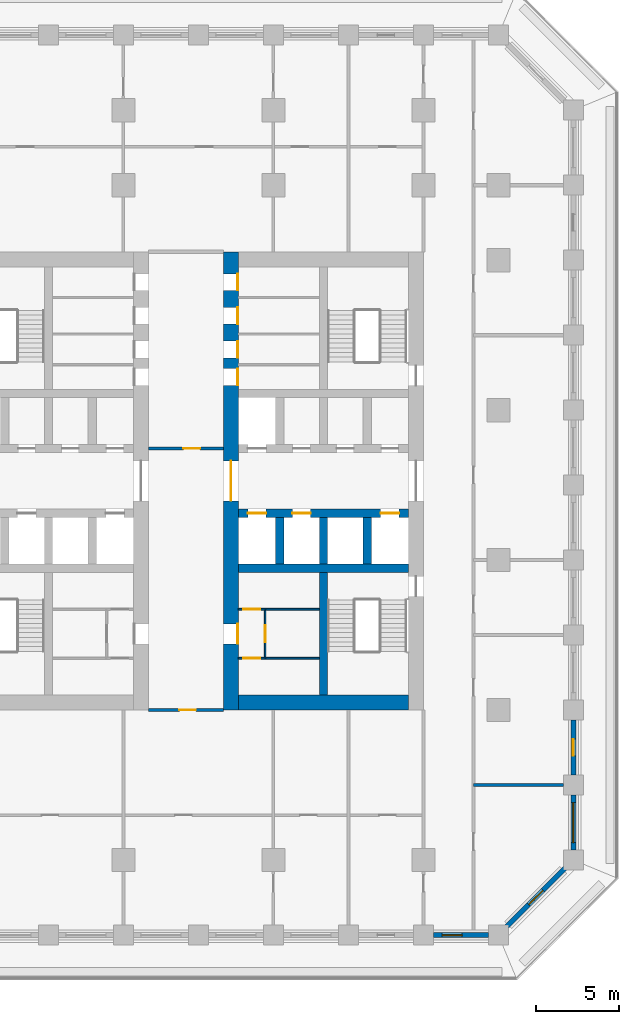
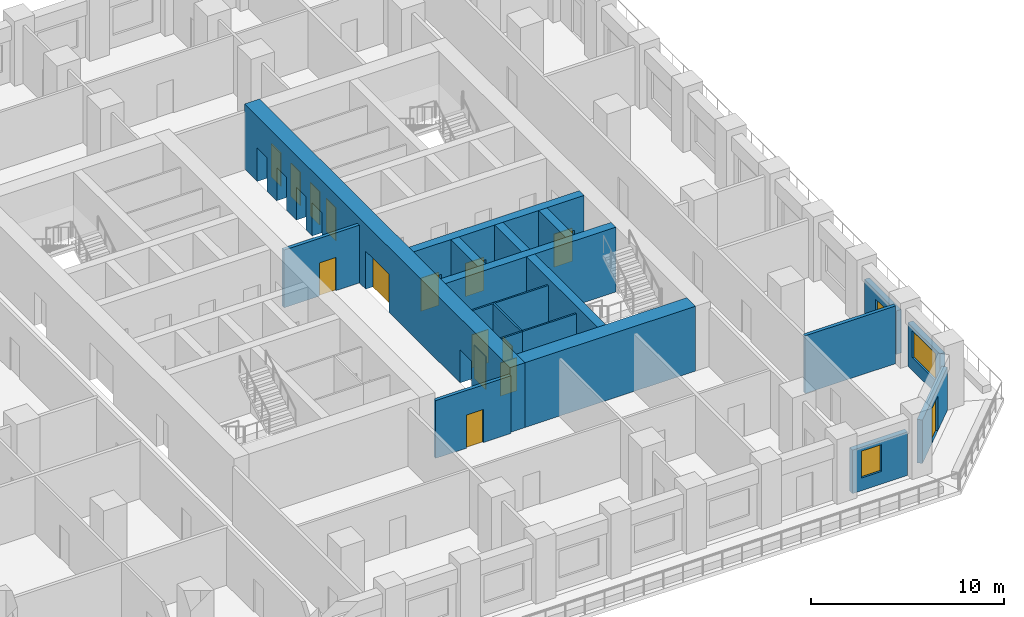
# One storey, part 5 of 16: 20 walls, 16 doors, 2 windows, 18 openings.
"""IFC4 building model written with IfcOpenShell, lengths in metres."""

from ifc_helpers import new_model, si_unit, direction, frame, frame_2d, origin, place, context, subcontext, project, spatial, rectangle, extrude, material, layer, layer_set, type_object, element, fill, save


model = new_model("IFC4")

# Units and contexts
model_context = context("Model", 3, precision=1e-05, world=origin(), true_north=direction((0.0, 1.0)))
body_context = subcontext(model_context, "Body", "Model", "MODEL_VIEW")
ifc_project = project(units=[si_unit("LENGTHUNIT", "METRE"), si_unit("AREAUNIT", "SQUARE_METRE"), si_unit("VOLUMEUNIT", "CUBIC_METRE"), si_unit("PLANEANGLEUNIT", "RADIAN"), si_unit("MASSUNIT", "GRAM", prefix="KILO")], contexts=[model_context])

# Site, building, storey
site_placement = place(None, origin())
site = spatial("IfcSite", under=ifc_project, at=site_placement, CompositionType="ELEMENT")
building_placement = place(site_placement, origin())
building = spatial("IfcBuilding", under=site, at=building_placement, Name="Corbel Stack Research Tower", CompositionType="ELEMENT")
storey_placement = place(building_placement, frame((0.0, 0.0, 120.800048828125)))
storey = spatial("IfcBuildingStorey", under=building, at=storey_placement, Name="L27", CompositionType="ELEMENT", Elevation=120.800048828125)

# Wall
ifc_material_1 = material(Name="Concrete C70/85", Category="concrete")
ifc_layer_1 = layer(ifc_material_1, 0.5)
ifc_layer_set_1 = layer_set([ifc_layer_1], Name="Concrete C70/85")
wall_type_1 = type_object("IfcWallType", Name="CW-500-70", PredefinedType="SHEAR", material=ifc_layer_set_1)
wall_1_placement = place(storey_placement, frame((6.89990234375, -0.5, 0.0), z_axis=(0.0, 0.0, 1.0), x_axis=(1.0, 0.0, 0.0)))
element("IfcWall", 1, at=wall_1_placement, inside=storey, type_object=wall_type_1, Name="East core wall, south row back L27", PredefinedType="SHEAR", context=body_context, shape_type="SweptSolid", body=[
    extrude(rectangle(XDim=10.2001953125, YDim=0.5, at=frame_2d((5.10009765625, 0.0))), origin(), (0.0, 0.0, 1.0), 4.099853515625),
])

# Wall, openings, doors
wall_2_placement = place(storey_placement, frame((6.89990234375, 2.800048828125, 0.0), z_axis=(0.0, 0.0, 1.0), x_axis=(1.0, 0.0, 0.0)))
wall_2 = element("IfcWall", 2, at=wall_2_placement, inside=storey, type_object=wall_type_1, Name="East core wall, lobby south L27", PredefinedType="SHEAR", context=body_context, shape_type="SweptSolid", body=[
    extrude(rectangle(XDim=10.2001953125, YDim=0.5, at=frame_2d((5.10009765625, 0.0))), origin(), (0.0, 0.0, 1.0), 4.099853515625),
])
opening_1_placement = place(wall_2_placement, frame((0.5625, 0.0, 0.0)))
opening_1 = element("IfcOpeningElement", 3, at=opening_1_placement, cuts=wall_2, Name="Opening LD-FS2", PredefinedType="OPENING", context=body_context, shape_type="SweptSolid", body=[
    extrude(rectangle(XDim=1.10009765625, YDim=2.10009765625, at=frame_2d((0.550048828125, 1.050048828125))), frame((0.0, 0.260009765625, 0.0), z_axis=(0.0, -1.0, 0.0), x_axis=(1.0, 0.0, 0.0)), (0.0, 0.0, 1.0), 0.52001953125),
])
opening_2_placement = place(wall_2_placement, frame((3.237548828125, 0.0, 0.0)))
opening_2 = element("IfcOpeningElement", 4, at=opening_2_placement, cuts=wall_2, Name="Opening LD-GL2", PredefinedType="OPENING", context=body_context, shape_type="SweptSolid", body=[
    extrude(rectangle(XDim=1.10009765625, YDim=2.10009765625, at=frame_2d((0.550048828125, 1.050048828125))), frame((0.0, 0.260009765625, 0.0), z_axis=(0.0, -1.0, 0.0), x_axis=(1.0, 0.0, 0.0)), (0.0, 0.0, 1.0), 0.52001953125),
])
opening_3_placement = place(wall_2_placement, frame((8.53759765625, 0.0, 0.0)))
opening_3 = element("IfcOpeningElement", 5, at=opening_3_placement, cuts=wall_2, Name="Opening LD-LR3", PredefinedType="OPENING", context=body_context, shape_type="SweptSolid", body=[
    extrude(rectangle(XDim=1.10009765625, YDim=2.10009765625, at=frame_2d((0.550048828125, 1.050048828125))), frame((0.0, 0.260009765625, 0.0), z_axis=(0.0, -1.0, 0.0), x_axis=(1.0, 0.0, 0.0)), (0.0, 0.0, 1.0), 0.52001953125),
])
ifc_material_2 = material(Name="Stainless steel landing door", Category="steel")
door_type_1 = type_object("IfcDoorType", Name="Lift landing door 1100 x 2100", OperationType="DOUBLE_DOOR_SLIDING", PredefinedType="DOOR", material=ifc_material_2)
door_1_placement = place(opening_1_placement, origin())
door_1 = element("IfcDoor", 6, at=door_1_placement, inside=storey, type_object=door_type_1, Name="Landing door FS2", OperationType="DOUBLE_DOOR_SLIDING", OverallHeight=2.10009765625, OverallWidth=1.10009765625, PredefinedType="DOOR", context=body_context, shape_type="SweptSolid", body=[
    extrude(rectangle(XDim=1.10009765625, YDim=2.10009765625, at=frame_2d((0.550048828125, 1.050048828125))), frame((0.0, 0.02490234375, 0.0), z_axis=(0.0, -1.0, 0.0), x_axis=(1.0, 0.0, 0.0)), (0.0, 0.0, 1.0), 0.050048828125),
])
fill(opening_1, door_1)
door_2_placement = place(opening_2_placement, origin())
door_2 = element("IfcDoor", 7, at=door_2_placement, inside=storey, type_object=door_type_1, Name="Landing door GL2", OperationType="DOUBLE_DOOR_SLIDING", OverallHeight=2.10009765625, OverallWidth=1.10009765625, PredefinedType="DOOR", context=body_context, shape_type="SweptSolid", body=[
    extrude(rectangle(XDim=1.10009765625, YDim=2.10009765625, at=frame_2d((0.550048828125, 1.050048828125))), frame((0.0, 0.02490234375, 0.0), z_axis=(0.0, -1.0, 0.0), x_axis=(1.0, 0.0, 0.0)), (0.0, 0.0, 1.0), 0.050048828125),
])
fill(opening_2, door_2)
door_3_placement = place(opening_3_placement, origin())
door_3 = element("IfcDoor", 8, at=door_3_placement, inside=storey, type_object=door_type_1, Name="Landing door LR3", OperationType="DOUBLE_DOOR_SLIDING", OverallHeight=2.10009765625, OverallWidth=1.10009765625, PredefinedType="DOOR", context=body_context, shape_type="SweptSolid", body=[
    extrude(rectangle(XDim=1.10009765625, YDim=2.10009765625, at=frame_2d((0.550048828125, 1.050048828125))), frame((0.0, 0.02490234375, 0.0), z_axis=(0.0, -1.0, 0.0), x_axis=(1.0, 0.0, 0.0)), (0.0, 0.0, 1.0), 0.050048828125),
])
fill(opening_3, door_3)

# Walls
for number, where, z_axis, x_axis, name in (
    (9, (9.375, -0.25, 0.0), (0.0, 0.0, 1.0), (0.0, 1.0, 0.0), "East core wall, south shaft 1 L27"),
    (10, (12.0, -0.25, 0.0), (0.0, 0.0, 1.0), (0.0, 1.0, 0.0), "East core wall, south shaft 2 L27"),
    (11, (14.625, -0.25, 0.0), (0.0, 0.0, 1.0), (0.0, 1.0, 0.0), "East core wall, south shaft 3 L27"),
):
    element("IfcWall", number, at=place(storey_placement, frame(where, z_axis=z_axis, x_axis=x_axis)), inside=storey, type_object=wall_type_1, Name=name, PredefinedType="SHEAR", context=body_context, shape_type="SweptSolid", body=[
        extrude(rectangle(XDim=2.800048828125, YDim=0.5, at=frame_2d((1.39990234375, 0.0))), origin(), (0.0, 0.0, 1.0), 4.099853515625),
    ])
wall_3_placement = place(storey_placement, frame((12.0, -8.10009765625, 0.0), z_axis=(0.0, 0.0, 1.0), x_axis=(0.0, 1.0, 0.0)))
element("IfcWall", 12, at=wall_3_placement, inside=storey, type_object=wall_type_1, Name="East core wall, south stair and WC L27", PredefinedType="SHEAR", context=body_context, shape_type="SweptSolid", body=[
    extrude(rectangle(XDim=7.35009765625, YDim=0.5, at=frame_2d((3.675048828125, 0.0))), origin(), (0.0, 0.0, 1.0), 4.099853515625),
])

# Wall, openings, doors
ifc_material_3 = material(Name="Concrete C70/85", Category="concrete")
ifc_layer_2 = layer(ifc_material_3, 0.89990234375)
ifc_layer_set_2 = layer_set([ifc_layer_2], Name="Concrete C70/85")
wall_type_2 = type_object("IfcWallType", Name="CW-900-70", PredefinedType="SHEAR", material=ifc_layer_set_2)
wall_4_placement = place(storey_placement, frame((6.449951171875, -9.0, 0.0), z_axis=(0.0, 0.0, 1.0), x_axis=(0.0, 1.0, 0.0)))
wall_4 = element("IfcWall", 13, at=wall_4_placement, inside=storey, type_object=wall_type_2, Name="East core wall, west face L27", PredefinedType="SHEAR", context=body_context, shape_type="SweptSolid", body=[
    extrude(rectangle(XDim=27.5, YDim=0.89990234375, at=frame_2d((13.75, 0.0))), origin(), (0.0, 0.0, 1.0), 4.099853515625),
])
opening_4_placement = place(wall_4_placement, frame((12.550048828125, 0.0, 0.0)))
opening_4 = element("IfcOpeningElement", 14, at=opening_4_placement, cuts=wall_4, Name="Opening CD-E-W", PredefinedType="OPENING", context=body_context, shape_type="SweptSolid", body=[
    extrude(rectangle(XDim=2.39990234375, YDim=2.39990234375, at=frame_2d((1.199951171875, 1.199951171875))), frame((0.0, 0.4599609375, 0.0), z_axis=(0.0, -1.0, 0.0), x_axis=(1.0, 0.0, 0.0)), (0.0, 0.0, 1.0), 0.919921875),
])
opening_5_placement = place(wall_4_placement, frame((3.97509765625, 0.0, 0.0)))
opening_5 = element("IfcOpeningElement", 15, at=opening_5_placement, cuts=wall_4, Name="Opening CR-E36-W1-1200", PredefinedType="OPENING", context=body_context, shape_type="SweptSolid", body=[
    extrude(rectangle(XDim=1.199951171875, YDim=2.10009765625, at=frame_2d((0.60009765625, 1.050048828125))), frame((0.0, 0.4599609375, 0.0), z_axis=(0.0, -1.0, 0.0), x_axis=(1.0, 0.0, 0.0)), (0.0, 0.0, 1.0), 0.919921875),
])
opening_6_placement = place(wall_4_placement, frame((19.485107421875, 0.0, 0.0)))
opening_6 = element("IfcOpeningElement", 16, at=opening_6_placement, cuts=wall_4, Name="Opening CR-E36-R1-1000", PredefinedType="OPENING", context=body_context, shape_type="SweptSolid", body=[
    extrude(rectangle(XDim=1.0, YDim=2.10009765625, at=frame_2d((0.5, 1.050048828125))), frame((0.0, 0.4599609375, 0.0), z_axis=(0.0, -1.0, 0.0), x_axis=(1.0, 0.0, 0.0)), (0.0, 0.0, 1.0), 0.919921875),
])
opening_7_placement = place(wall_4_placement, frame((21.138916015625, 0.0, 0.0)))
opening_7 = element("IfcOpeningElement", 17, at=opening_7_placement, cuts=wall_4, Name="Opening CR-E36-R2-1000", PredefinedType="OPENING", context=body_context, shape_type="SweptSolid", body=[
    extrude(rectangle(XDim=1.0, YDim=2.10009765625, at=frame_2d((0.5, 1.050048828125))), frame((0.0, 0.4599609375, 0.0), z_axis=(0.0, -1.0, 0.0), x_axis=(1.0, 0.0, 0.0)), (0.0, 0.0, 1.0), 0.919921875),
])
opening_8_placement = place(wall_4_placement, frame((23.159912109375, 0.0, 0.0)))
opening_8 = element("IfcOpeningElement", 18, at=opening_8_placement, cuts=wall_4, Name="Opening CR-E36-R3-1000", PredefinedType="OPENING", context=body_context, shape_type="SweptSolid", body=[
    extrude(rectangle(XDim=1.0, YDim=2.10009765625, at=frame_2d((0.5, 1.050048828125))), frame((0.0, 0.4599609375, 0.0), z_axis=(0.0, -1.0, 0.0), x_axis=(1.0, 0.0, 0.0)), (0.0, 0.0, 1.0), 0.919921875),
])
opening_9_placement = place(wall_4_placement, frame((25.18115234375, 0.0, 0.0)))
opening_9 = element("IfcOpeningElement", 19, at=opening_9_placement, cuts=wall_4, Name="Opening CR-E36-R4-1000", PredefinedType="OPENING", context=body_context, shape_type="SweptSolid", body=[
    extrude(rectangle(XDim=1.0, YDim=2.10009765625, at=frame_2d((0.5, 1.050048828125))), frame((0.0, 0.4599609375, 0.0), z_axis=(0.0, -1.0, 0.0), x_axis=(1.0, 0.0, 0.0)), (0.0, 0.0, 1.0), 0.919921875),
])
ifc_material_4 = material(Name="Painted steel fire door", Category="steel")
door_type_2 = type_object("IfcDoorType", Name="Lobby door pair 2400 x 2400 FD30S", OperationType="DOUBLE_DOOR_DOUBLE_SWING", PredefinedType="DOOR", material=ifc_material_4)
door_4_placement = place(opening_4_placement, origin())
door_4 = element("IfcDoor", 20, at=door_4_placement, inside=storey, type_object=door_type_2, Name="Lift lobby door E core W", OperationType="DOUBLE_DOOR_DOUBLE_SWING", OverallHeight=2.39990234375, OverallWidth=2.39990234375, PredefinedType="DOOR", context=body_context, shape_type="SweptSolid", body=[
    extrude(rectangle(XDim=2.39990234375, YDim=2.39990234375, at=frame_2d((1.199951171875, 1.199951171875))), frame((0.0, 0.02490234375, 0.0), z_axis=(0.0, -1.0, 0.0), x_axis=(1.0, 0.0, 0.0)), (0.0, 0.0, 1.0), 0.050048828125),
])
fill(opening_4, door_4)
ifc_material_5 = material(Name="Painted steel door", Category="steel")
door_type_3 = type_object("IfcDoorType", Name="Riser door 1000 x 2100 FD60 left hand", OperationType="SINGLE_SWING_LEFT", PredefinedType="DOOR", material=ifc_material_5)
door_5_placement = place(opening_7_placement, origin())
door_5 = element("IfcDoor", 21, at=door_5_placement, inside=storey, type_object=door_type_3, Name="Telecom room door E core", OperationType="SINGLE_SWING_LEFT", OverallHeight=2.10009765625, OverallWidth=1.0, PredefinedType="DOOR", context=body_context, shape_type="SweptSolid", body=[
    extrude(rectangle(XDim=1.0, YDim=2.10009765625, at=frame_2d((0.5, 1.050048828125))), frame((0.0, -0.375, 0.0), z_axis=(0.0, -1.0, 0.0), x_axis=(1.0, 0.0, 0.0)), (0.0, 0.0, 1.0), 0.050048828125),
])
fill(opening_7, door_5)
ifc_material_6 = material(Name="Painted steel door", Category="steel")
door_type_4 = type_object("IfcDoorType", Name="Riser door 1000 x 2100 FD60 right hand", OperationType="SINGLE_SWING_RIGHT", PredefinedType="DOOR", material=ifc_material_6)
door_6_placement = place(opening_6_placement, origin())
door_6 = element("IfcDoor", 22, at=door_6_placement, inside=storey, type_object=door_type_4, Name="Electrical riser door E core", OperationType="SINGLE_SWING_RIGHT", OverallHeight=2.10009765625, OverallWidth=1.0, PredefinedType="DOOR", context=body_context, shape_type="SweptSolid", body=[
    extrude(rectangle(XDim=1.0, YDim=2.10009765625, at=frame_2d((0.5, 1.050048828125))), frame((0.0, -0.375, 0.0), z_axis=(0.0, -1.0, 0.0), x_axis=(1.0, 0.0, 0.0)), (0.0, 0.0, 1.0), 0.050048828125),
])
fill(opening_6, door_6)
ifc_material_7 = material(Name="Painted steel door", Category="steel")
door_type_5 = type_object("IfcDoorType", Name="Service door 1000 x 2100 FD30 left hand", OperationType="SINGLE_SWING_LEFT", PredefinedType="DOOR", material=ifc_material_7)
door_7_placement = place(opening_9_placement, origin())
door_7 = element("IfcDoor", 23, at=door_7_placement, inside=storey, type_object=door_type_5, Name="Cleaner's store door E core", OperationType="SINGLE_SWING_LEFT", OverallHeight=2.10009765625, OverallWidth=1.0, PredefinedType="DOOR", context=body_context, shape_type="SweptSolid", body=[
    extrude(rectangle(XDim=1.0, YDim=2.10009765625, at=frame_2d((0.5, 1.050048828125))), frame((0.0, -0.375, 0.0), z_axis=(0.0, -1.0, 0.0), x_axis=(1.0, 0.0, 0.0)), (0.0, 0.0, 1.0), 0.050048828125),
])
fill(opening_9, door_7)
ifc_material_8 = material(Name="Painted steel door", Category="steel")
door_type_6 = type_object("IfcDoorType", Name="Service door 1000 x 2100 FD30 right hand", OperationType="SINGLE_SWING_RIGHT", PredefinedType="DOOR", material=ifc_material_8)
door_8_placement = place(opening_8_placement, origin())
door_8 = element("IfcDoor", 24, at=door_8_placement, inside=storey, type_object=door_type_6, Name="Pantry door E core", OperationType="SINGLE_SWING_RIGHT", OverallHeight=2.10009765625, OverallWidth=1.0, PredefinedType="DOOR", context=body_context, shape_type="SweptSolid", body=[
    extrude(rectangle(XDim=1.0, YDim=2.10009765625, at=frame_2d((0.5, 1.050048828125))), frame((0.0, -0.375, 0.0), z_axis=(0.0, -1.0, 0.0), x_axis=(1.0, 0.0, 0.0)), (0.0, 0.0, 1.0), 0.050048828125),
])
fill(opening_8, door_8)
ifc_material_9 = material(Name="Painted timber door", Category="wood")
door_type_7 = type_object("IfcDoorType", Name="WC door 1200 x 2100 right hand", OperationType="SINGLE_SWING_RIGHT", PredefinedType="DOOR", material=ifc_material_9)
door_9_placement = place(opening_5_placement, origin())
door_9 = element("IfcDoor", 25, at=door_9_placement, inside=storey, type_object=door_type_7, Name="WC lobby door E core", OperationType="SINGLE_SWING_RIGHT", OverallHeight=2.10009765625, OverallWidth=1.199951171875, PredefinedType="DOOR", context=body_context, shape_type="SweptSolid", body=[
    extrude(rectangle(XDim=1.199951171875, YDim=2.10009765625, at=frame_2d((0.60009765625, 1.050048828125))), frame((0.0, -0.375, 0.0), z_axis=(0.0, -1.0, 0.0), x_axis=(1.0, 0.0, 0.0)), (0.0, 0.0, 1.0), 0.050048828125),
])
fill(opening_5, door_9)

# Wall
wall_5_placement = place(storey_placement, frame((6.89990234375, -8.550048828125, 0.0), z_axis=(0.0, 0.0, 1.0), x_axis=(1.0, 0.0, 0.0)))
element("IfcWall", 26, at=wall_5_placement, inside=storey, type_object=wall_type_2, Name="East core wall, south end L27", PredefinedType="SHEAR", context=body_context, shape_type="SweptSolid", body=[
    extrude(rectangle(XDim=10.2001953125, YDim=0.89990234375, at=frame_2d((5.10009765625, 0.0))), origin(), (0.0, 0.0, 1.0), 4.099853515625),
])

# Wall, opening, door
ifc_material_10 = material(Name="Gypsum board")
ifc_layer_3 = layer(ifc_material_10, 0.10009765625)
ifc_layer_set_3 = layer_set([ifc_layer_3], Name="Gypsum board")
wall_type_3 = type_object("IfcWallType", Name="Core partition 100", PredefinedType="PARTITIONING", material=ifc_layer_set_3)
wall_6_placement = place(storey_placement, frame((6.89990234375, -5.89501953125, 0.0), z_axis=(0.0, 0.0, 1.0), x_axis=(1.0, 0.0, 0.0)))
wall_6 = element("IfcWall", 27, at=wall_6_placement, inside=storey, type_object=wall_type_3, Name="Core partition E", PredefinedType="PARTITIONING", context=body_context, shape_type="SweptSolid", body=[
    extrude(rectangle(XDim=1.60009765625, YDim=0.10009765625, at=frame_2d((0.800048828125, 0.0))), origin(), (0.0, 0.0, 1.0), 3.64990234375),
])
opening_10_placement = place(wall_6_placement, frame((0.300048828125, 0.0, 0.0)))
opening_10 = element("IfcOpeningElement", 28, at=opening_10_placement, cuts=wall_6, Name="Opening CR-E36-W2-1000", PredefinedType="OPENING", context=body_context, shape_type="SweptSolid", body=[
    extrude(rectangle(XDim=1.0, YDim=2.10009765625, at=frame_2d((0.5, 1.050048828125))), frame((0.0, 0.06005859375, 0.0), z_axis=(0.0, -1.0, 0.0), x_axis=(1.0, 0.0, 0.0)), (0.0, 0.0, 1.0), 0.1201171875),
])
ifc_material_11 = material(Name="Painted timber door", Category="wood")
door_type_8 = type_object("IfcDoorType", Name="WC door 1000 x 2100 left hand", OperationType="SINGLE_SWING_LEFT", PredefinedType="DOOR", material=ifc_material_11)
door_10_placement = place(opening_10_placement, origin())
door_10 = element("IfcDoor", 29, at=door_10_placement, inside=storey, type_object=door_type_8, Name="Men's WC door E core", OperationType="SINGLE_SWING_LEFT", OverallHeight=2.10009765625, OverallWidth=1.0, PredefinedType="DOOR", context=body_context, shape_type="SweptSolid", body=[
    extrude(rectangle(XDim=1.0, YDim=2.10009765625, at=frame_2d((0.5, 1.050048828125))), frame((0.0, 0.02490234375, 0.0), z_axis=(0.0, -1.0, 0.0), x_axis=(1.0, 0.0, 0.0)), (0.0, 0.0, 1.0), 0.050048828125),
])
fill(opening_10, door_10)

wall_7_placement = place(storey_placement, frame((6.89990234375, -2.955078125, 0.0), z_axis=(0.0, 0.0, 1.0), x_axis=(1.0, 0.0, 0.0)))
wall_7 = element("IfcWall", 30, at=wall_7_placement, inside=storey, type_object=wall_type_3, Name="Core partition E", PredefinedType="PARTITIONING", context=body_context, shape_type="SweptSolid", body=[
    extrude(rectangle(XDim=1.60009765625, YDim=0.10009765625, at=frame_2d((0.800048828125, 0.0))), origin(), (0.0, 0.0, 1.0), 3.64990234375),
])
opening_11_placement = place(wall_7_placement, frame((0.300048828125, 0.0, 0.0)))
opening_11 = element("IfcOpeningElement", 31, at=opening_11_placement, cuts=wall_7, Name="Opening CR-E36-W3-1000", PredefinedType="OPENING", context=body_context, shape_type="SweptSolid", body=[
    extrude(rectangle(XDim=1.0, YDim=2.10009765625, at=frame_2d((0.5, 1.050048828125))), frame((0.0, 0.06005859375, 0.0), z_axis=(0.0, -1.0, 0.0), x_axis=(1.0, 0.0, 0.0)), (0.0, 0.0, 1.0), 0.1201171875),
])
ifc_material_12 = material(Name="Painted timber door", Category="wood")
door_type_9 = type_object("IfcDoorType", Name="WC door 1000 x 2100 right hand", OperationType="SINGLE_SWING_RIGHT", PredefinedType="DOOR", material=ifc_material_12)
door_11_placement = place(opening_11_placement, origin())
door_11 = element("IfcDoor", 32, at=door_11_placement, inside=storey, type_object=door_type_9, Name="Women's WC door E core", OperationType="SINGLE_SWING_RIGHT", OverallHeight=2.10009765625, OverallWidth=1.0, PredefinedType="DOOR", context=body_context, shape_type="SweptSolid", body=[
    extrude(rectangle(XDim=1.0, YDim=2.10009765625, at=frame_2d((0.5, 1.050048828125))), frame((0.0, 0.02490234375, 0.0), z_axis=(0.0, -1.0, 0.0), x_axis=(1.0, 0.0, 0.0)), (0.0, 0.0, 1.0), 0.050048828125),
])
fill(opening_11, door_11)

wall_8_placement = place(storey_placement, frame((8.5, -5.89501953125, 0.0), z_axis=(0.0, 0.0, 1.0), x_axis=(0.0, 1.0, 0.0)))
wall_8 = element("IfcWall", 33, at=wall_8_placement, inside=storey, type_object=wall_type_3, Name="Core partition E", PredefinedType="PARTITIONING", context=body_context, shape_type="SweptSolid", body=[
    extrude(rectangle(XDim=2.93994140625, YDim=0.10009765625, at=frame_2d((1.469970703125, 0.0))), origin(), (0.0, 0.0, 1.0), 3.64990234375),
])
opening_12_placement = place(wall_8_placement, frame((0.969970703125, 0.0, 0.0)))
opening_12 = element("IfcOpeningElement", 34, at=opening_12_placement, cuts=wall_8, Name="Opening CR-E36-W4-1000", PredefinedType="OPENING", context=body_context, shape_type="SweptSolid", body=[
    extrude(rectangle(XDim=1.0, YDim=2.10009765625, at=frame_2d((0.5, 1.050048828125))), frame((0.0, 0.06005859375, 0.0), z_axis=(0.0, -1.0, 0.0), x_axis=(1.0, 0.0, 0.0)), (0.0, 0.0, 1.0), 0.1201171875),
])
door_12_placement = place(opening_12_placement, origin())
door_12 = element("IfcDoor", 35, at=door_12_placement, inside=storey, type_object=door_type_8, Name="Accessible WC door E core", OperationType="SINGLE_SWING_LEFT", OverallHeight=2.10009765625, OverallWidth=1.0, PredefinedType="DOOR", context=body_context, shape_type="SweptSolid", body=[
    extrude(rectangle(XDim=1.0, YDim=2.10009765625, at=frame_2d((0.5, 1.050048828125))), frame((0.0, 0.02490234375, 0.0), z_axis=(0.0, -1.0, 0.0), x_axis=(1.0, 0.0, 0.0)), (0.0, 0.0, 1.0), 0.050048828125),
])
fill(opening_12, door_12)

# Walls
for number, where, z_axis, x_axis, name in (
    (36, (8.5, -5.89501953125, 0.0), (0.0, 0.0, 1.0), (1.0, 0.0, 0.0), "Core partition E"),
    (37, (8.5, -2.955078125, 0.0), (0.0, 0.0, 1.0), (1.0, 0.0, 0.0), "Core partition E"),
):
    element("IfcWall", number, at=place(storey_placement, frame(where, z_axis=z_axis, x_axis=x_axis)), inside=storey, type_object=wall_type_3, Name=name, PredefinedType="PARTITIONING", context=body_context, shape_type="SweptSolid", body=[
        extrude(rectangle(XDim=3.25, YDim=0.10009765625, at=frame_2d((1.625, 0.0))), origin(), (0.0, 0.0, 1.0), 3.64990234375),
    ])
ifc_material_13 = material(Name="Fire-rated gypsum board partition on steel studs", Category="steel")
ifc_layer_4 = layer(ifc_material_13, 0.199951171875)
ifc_layer_set_4 = layer_set([ifc_layer_4], Name="Fire-rated gypsum board partition on steel studs")
wall_type_4 = type_object("IfcWallType", Name="Fire-rated partition 200 EI 60", PredefinedType="PARTITIONING", material=ifc_layer_set_4)
wall_9_placement = place(storey_placement, frame((21.0, -13.5, 0.0), z_axis=(0.0, 0.0, 1.0), x_axis=(1.0, 0.0, 0.0)))
element("IfcWall", 38, at=wall_9_placement, inside=storey, type_object=wall_type_4, Name="Partition L27-025", PredefinedType="PARTITIONING", context=body_context, shape_type="SweptSolid", body=[
    extrude(rectangle(XDim=5.39990234375, YDim=0.199951171875, at=frame_2d((2.699951171875, 0.0))), origin(), (0.0, 0.0, 1.0), 3.64990234375),
])

# Wall, opening, door
wall_10_placement = place(storey_placement, frame((6.0, -9.0, 0.0), z_axis=(0.0, 0.0, 1.0), x_axis=(-1.0, 0.0, 0.0)))
wall_10 = element("IfcWall", 39, at=wall_10_placement, inside=storey, type_object=wall_type_4, Name="Partition L27-026", PredefinedType="PARTITIONING", context=body_context, shape_type="SweptSolid", body=[
    extrude(rectangle(XDim=4.5, YDim=0.199951171875, at=frame_2d((2.25, 0.0))), origin(), (0.0, 0.0, 1.0), 3.64990234375),
])
opening_13_placement = place(wall_10_placement, frame((1.64990234375, 0.0, 0.0)))
opening_13 = element("IfcOpeningElement", 40, at=opening_13_placement, cuts=wall_10, Name="Opening B4V0-019", PredefinedType="OPENING", context=body_context, shape_type="SweptSolid", body=[
    extrude(rectangle(XDim=1.0, YDim=2.10009765625, at=frame_2d((0.5, 1.050048828125))), frame((0.0, 0.10986328125, 0.0), z_axis=(0.0, -1.0, 0.0), x_axis=(1.0, 0.0, 0.0)), (0.0, 0.0, 1.0), 0.219970703125),
])
ifc_material_14 = material(Name="Painted steel fire door", Category="steel")
door_type_10 = type_object("IfcDoorType", Name="Fire door FD30S 1000 x 2100", OperationType="NOTDEFINED", PredefinedType="DOOR", material=ifc_material_14)
door_13_placement = place(opening_13_placement, origin())
door_13 = element("IfcDoor", 41, at=door_13_placement, inside=storey, type_object=door_type_10, Name="Door B4V0-019", OperationType="SINGLE_SWING_LEFT", OverallHeight=2.10009765625, OverallWidth=1.0, PredefinedType="DOOR", context=body_context, shape_type="SweptSolid", body=[
    extrude(rectangle(XDim=1.0, YDim=2.10009765625, at=frame_2d((0.5, 1.050048828125))), frame((0.0, 0.02490234375, 0.0), z_axis=(0.0, -1.0, 0.0), x_axis=(1.0, 0.0, 0.0)), (0.0, 0.0, 1.0), 0.050048828125),
])
fill(opening_13, door_13)

wall_11_placement = place(storey_placement, frame((1.5, 6.699951171875, 0.0), z_axis=(0.0, 0.0, 1.0), x_axis=(1.0, 0.0, 0.0)))
wall_11 = element("IfcWall", 42, at=wall_11_placement, inside=storey, type_object=wall_type_4, Name="Partition L27-033", PredefinedType="PARTITIONING", context=body_context, shape_type="SweptSolid", body=[
    extrude(rectangle(XDim=4.5, YDim=0.199951171875, at=frame_2d((2.25, 0.0))), origin(), (0.0, 0.0, 1.0), 3.64990234375),
])
opening_14_placement = place(wall_11_placement, frame((2.10009765625, 0.0, 0.0)))
opening_14 = element("IfcOpeningElement", 43, at=opening_14_placement, cuts=wall_11, Name="Opening B4V0-021", PredefinedType="OPENING", context=body_context, shape_type="SweptSolid", body=[
    extrude(rectangle(XDim=1.0, YDim=2.10009765625, at=frame_2d((0.5, 1.050048828125))), frame((0.0, 0.10986328125, 0.0), z_axis=(0.0, -1.0, 0.0), x_axis=(1.0, 0.0, 0.0)), (0.0, 0.0, 1.0), 0.219970703125),
])
door_14_placement = place(opening_14_placement, origin())
door_14 = element("IfcDoor", 44, at=door_14_placement, inside=storey, type_object=door_type_10, Name="Door B4V0-021", OperationType="SINGLE_SWING_RIGHT", OverallHeight=2.10009765625, OverallWidth=1.0, PredefinedType="DOOR", context=body_context, shape_type="SweptSolid", body=[
    extrude(rectangle(XDim=1.0, YDim=2.10009765625, at=frame_2d((0.5, 1.050048828125))), frame((0.0, 0.02490234375, 0.0), z_axis=(0.0, -1.0, 0.0), x_axis=(1.0, 0.0, 0.0)), (0.0, 0.0, 1.0), 0.050048828125),
])
fill(opening_14, door_14)

# Wall, opening, window
ifc_material_15 = material(Name="Concrete C45/55", Category="concrete")
ifc_layer_5 = layer(ifc_material_15, 0.300048828125)
ifc_layer_set_5 = layer_set([ifc_layer_5], Name="Concrete C45/55")
wall_type_5 = type_object("IfcWallType", Name="Terracotta-faced concrete wall 300", PredefinedType="SOLIDWALL", material=ifc_layer_set_5)
wall_12_placement = place(storey_placement, frame((21.89990234375, -22.5, 0.0), z_axis=(0.0, 0.0, 1.0), x_axis=(-1.0, 0.0, 0.0)))
wall_12 = element("IfcWall", 45, at=wall_12_placement, inside=storey, type_object=wall_type_5, Name="Facade wall L27 S10", PredefinedType="SOLIDWALL", context=body_context, shape_type="SweptSolid", body=[
    extrude(rectangle(XDim=3.2998046875, YDim=0.300048828125, at=frame_2d((1.64990234375, 0.0))), origin(), (0.0, 0.0, 1.0), 2.75),
])
opening_15_placement = place(wall_12_placement, frame((1.574951171875, 0.0, 0.800048828125)))
opening_15 = element("IfcOpeningElement", 46, at=opening_15_placement, cuts=wall_12, Name="Opening W2", PredefinedType="OPENING", context=body_context, shape_type="SweptSolid", body=[
    extrude(rectangle(XDim=1.199951171875, YDim=1.699951171875, at=frame_2d((0.60009765625, 0.85009765625))), frame((0.0, 0.159912109375, 0.0), z_axis=(0.0, -1.0, 0.0), x_axis=(1.0, 0.0, 0.0)), (0.0, 0.0, 1.0), 0.320068359375),
])
ifc_material_16 = material(Name="Aluminium frame, clear double glazing", Category="aluminium")
window_type_1 = type_object("IfcWindowType", Name="Window W2 1200 x 1700", PartitioningType="SINGLE_PANEL", PredefinedType="WINDOW", material=ifc_material_16)
window_1_placement = place(opening_15_placement, origin())
window_1 = element("IfcWindow", 47, at=window_1_placement, inside=storey, type_object=window_type_1, Name="Window W2 L27 S10", OverallHeight=1.699951171875, OverallWidth=1.199951171875, PartitioningType="SINGLE_PANEL", PredefinedType="WINDOW", context=body_context, shape_type="SweptSolid", body=[
    extrude(rectangle(XDim=1.199951171875, YDim=1.699951171875, at=frame_2d((0.60009765625, 0.85009765625))), frame((0.0, 0.030029296875, 0.0), z_axis=(0.0, -1.0, 0.0), x_axis=(1.0, 0.0, 0.0)), (0.0, 0.0, 1.0), 0.06005859375),
])
fill(opening_15, window_1)

# Wall, opening, door
wall_13_placement = place(storey_placement, frame((26.506103515625, -18.493896484375, 0.0), z_axis=(0.0, 0.0, 1.0), x_axis=(-0.707106781187, -0.707106781187, 0.0)))
wall_13 = element("IfcWall", 48, at=wall_13_placement, inside=storey, type_object=wall_type_5, Name="Facade wall L27 SE01", PredefinedType="SOLIDWALL", context=body_context, shape_type="SweptSolid", body=[
    extrude(rectangle(XDim=4.967041015625, YDim=0.300048828125, at=frame_2d((2.4833984375, 0.0))), origin(), (0.0, 0.0, 1.0), 2.75),
])
opening_16_placement = place(wall_13_placement, frame((1.883544921875, 0.0, 0.0)))
opening_16 = element("IfcOpeningElement", 49, at=opening_16_placement, cuts=wall_13, Name="Opening L27-B03", PredefinedType="OPENING", context=body_context, shape_type="SweptSolid", body=[
    extrude(rectangle(XDim=1.199951171875, YDim=2.199951171875, at=frame_2d((0.60009765625, 1.10009765625))), frame((0.0, 0.159912109375, 0.0), z_axis=(0.0, -1.0, 0.0), x_axis=(1.0, 0.0, 0.0)), (0.0, 0.0, 1.0), 0.320068359375),
])
ifc_material_17 = material(Name="Aluminium frame, clear double glazing", Category="aluminium")
door_type_11 = type_object("IfcDoorType", Name="Balcony door BD2 1200 x 2200", OperationType="NOTDEFINED", PredefinedType="DOOR", material=ifc_material_17)
door_15_placement = place(opening_16_placement, origin())
door_15 = element("IfcDoor", 50, at=door_15_placement, inside=storey, type_object=door_type_11, Name="Balcony door L27-B03", OperationType="SINGLE_SWING_RIGHT", OverallHeight=2.199951171875, OverallWidth=1.199951171875, PredefinedType="DOOR", context=body_context, shape_type="SweptSolid", body=[
    extrude(rectangle(XDim=1.199951171875, YDim=2.199951171875, at=frame_2d((0.60009765625, 1.10009765625))), frame((0.0, 0.02490234375, 0.0), z_axis=(0.0, -1.0, 0.0), x_axis=(1.0, 0.0, 0.0)), (0.0, 0.0, 1.0), 0.050048828125),
])
fill(opening_16, door_15)

# Wall, opening, window
wall_14_placement = place(storey_placement, frame((27.0, -14.10009765625, 0.0), z_axis=(0.0, 0.0, 1.0), x_axis=(0.0, -1.0, 0.0)))
wall_14 = element("IfcWall", 51, at=wall_14_placement, inside=storey, type_object=wall_type_5, Name="Facade wall L27 E01", PredefinedType="SOLIDWALL", context=body_context, shape_type="SweptSolid", body=[
    extrude(rectangle(XDim=3.2998046875, YDim=0.300048828125, at=frame_2d((1.64990234375, 0.0))), origin(), (0.0, 0.0, 1.0), 2.75),
])
opening_17_placement = place(wall_14_placement, frame((0.449951171875, 0.0, 0.800048828125)))
opening_17 = element("IfcOpeningElement", 52, at=opening_17_placement, cuts=wall_14, Name="Opening W1", PredefinedType="OPENING", context=body_context, shape_type="SweptSolid", body=[
    extrude(rectangle(XDim=2.39990234375, YDim=1.699951171875, at=frame_2d((1.199951171875, 0.85009765625))), frame((0.0, 0.159912109375, 0.0), z_axis=(0.0, -1.0, 0.0), x_axis=(1.0, 0.0, 0.0)), (0.0, 0.0, 1.0), 0.320068359375),
])
ifc_material_18 = material(Name="Aluminium frame, clear double glazing", Category="aluminium")
window_type_2 = type_object("IfcWindowType", Name="Window W1 2400 x 1700", PartitioningType="SINGLE_PANEL", PredefinedType="WINDOW", material=ifc_material_18)
window_2_placement = place(opening_17_placement, origin())
window_2 = element("IfcWindow", 53, at=window_2_placement, inside=storey, type_object=window_type_2, Name="Window W1 L27 E01", OverallHeight=1.699951171875, OverallWidth=2.39990234375, PartitioningType="SINGLE_PANEL", PredefinedType="WINDOW", context=body_context, shape_type="SweptSolid", body=[
    extrude(rectangle(XDim=2.39990234375, YDim=1.699951171875, at=frame_2d((1.199951171875, 0.85009765625))), frame((0.0, 0.030029296875, 0.0), z_axis=(0.0, -1.0, 0.0), x_axis=(1.0, 0.0, 0.0)), (0.0, 0.0, 1.0), 0.06005859375),
])
fill(opening_17, window_2)

# Wall, opening, door
wall_15_placement = place(storey_placement, frame((27.0, -9.60009765625, 0.0), z_axis=(0.0, 0.0, 1.0), x_axis=(0.0, -1.0, 0.0)))
wall_15 = element("IfcWall", 54, at=wall_15_placement, inside=storey, type_object=wall_type_5, Name="Facade wall L27 E02", PredefinedType="SOLIDWALL", context=body_context, shape_type="SweptSolid", body=[
    extrude(rectangle(XDim=3.2998046875, YDim=0.300048828125, at=frame_2d((1.64990234375, 0.0))), origin(), (0.0, 0.0, 1.0), 2.75),
])
opening_18_placement = place(wall_15_placement, frame((1.14990234375, 0.0, 0.0)))
opening_18 = element("IfcOpeningElement", 55, at=opening_18_placement, cuts=wall_15, Name="Opening L27-B04", PredefinedType="OPENING", context=body_context, shape_type="SweptSolid", body=[
    extrude(rectangle(XDim=1.0, YDim=2.199951171875, at=frame_2d((0.5, 1.10009765625))), frame((0.0, 0.159912109375, 0.0), z_axis=(0.0, -1.0, 0.0), x_axis=(1.0, 0.0, 0.0)), (0.0, 0.0, 1.0), 0.320068359375),
])
ifc_material_19 = material(Name="Aluminium frame, clear double glazing", Category="aluminium")
door_type_12 = type_object("IfcDoorType", Name="Balcony door BD1 1000 x 2200", OperationType="NOTDEFINED", PredefinedType="DOOR", material=ifc_material_19)
door_16_placement = place(opening_18_placement, origin())
door_16 = element("IfcDoor", 56, at=door_16_placement, inside=storey, type_object=door_type_12, Name="Balcony door L27-B04", OperationType="SINGLE_SWING_LEFT", OverallHeight=2.199951171875, OverallWidth=1.0, PredefinedType="DOOR", context=body_context, shape_type="SweptSolid", body=[
    extrude(rectangle(XDim=1.0, YDim=2.199951171875, at=frame_2d((0.5, 1.10009765625))), frame((0.0, 0.02490234375, 0.0), z_axis=(0.0, -1.0, 0.0), x_axis=(1.0, 0.0, 0.0)), (0.0, 0.0, 1.0), 0.050048828125),
])
fill(opening_18, door_16)

save(model, "model.ifc")
